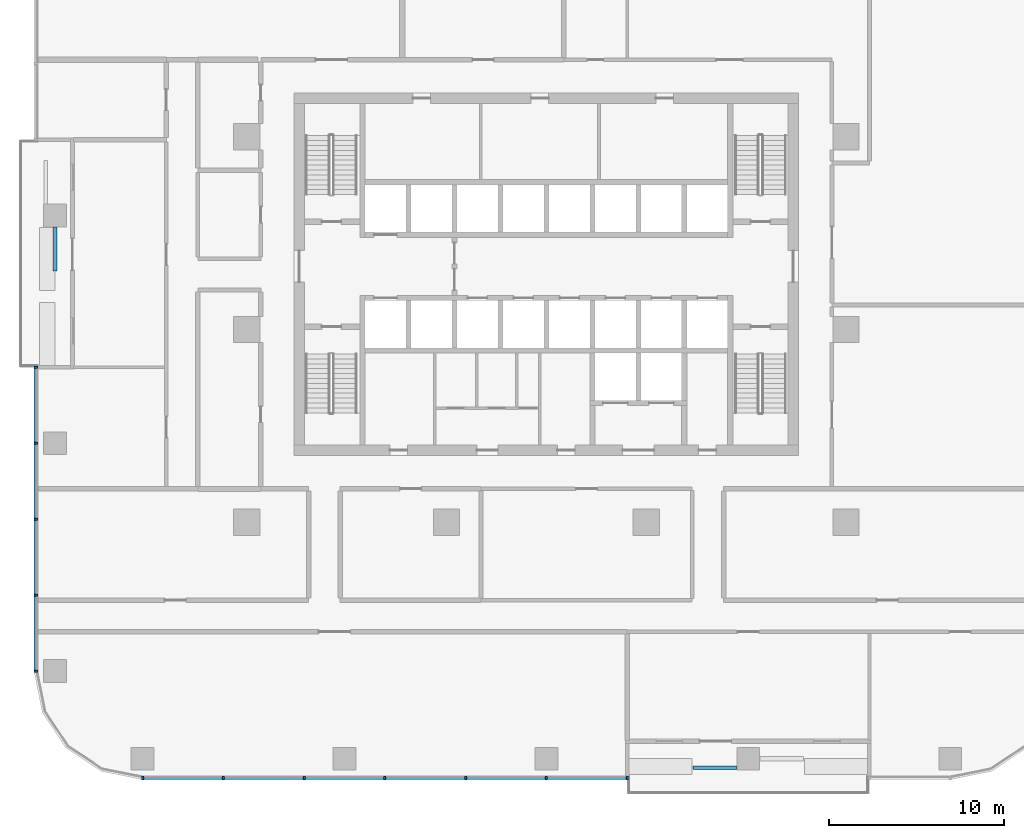
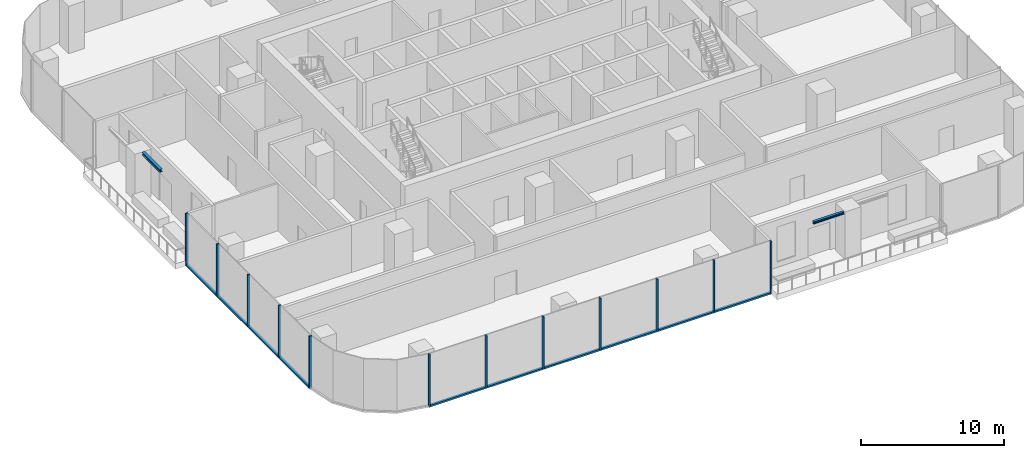
# One storey, part 2 of 15: 22 members, 2 beams, 2 elements without a shape of their own.
"""IFC4 building model written with IfcOpenShell, lengths in metres."""

import ifcopenshell
import ifcopenshell.guid

model = None  # the IFC model being written
_history = None  # IfcOwnerHistory: only IFC2X3 demands one
_inside = {}  # id of a spatial element -> (the spatial element, [elements in it])
_under = {}  # id of a project, library or spatial element -> (it, [spatial elements below it])
_declared = {}  # id of a project -> (the project, [libraries it declares])
_typed = {}  # id of a type object -> (the type object, [elements of that type])
_made_of = {}  # id of a material, layer set ... -> (it, [elements and type objects made of it])


def new_model(schema):
    """Start an empty IFC model of exactly this schema.

    Asked for "IFC4X3", IfcOpenShell would pick the latest addendum, in which some entities
    have other attributes; the version numbers below select the first issue.
    IFC2X3 requires an IfcOwnerHistory on every rooted entity: one is made here for all.
    """
    global model, _history
    if schema == "IFC4X3":
        model = ifcopenshell.file(schema_version=(4, 3, 0, 0))
    else:
        model = ifcopenshell.file(schema=schema)
    _inside.clear()
    _under.clear()
    _declared.clear()
    _typed.clear()
    _made_of.clear()
    _history = None
    if model.schema == "IFC2X3":
        org = make("IfcOrganization", Name="unknown")
        user = make(
            "IfcPersonAndOrganization",
            ThePerson=make("IfcPerson", FamilyName="unknown"),
            TheOrganization=org,
        )
        app = make(
            "IfcApplication",
            ApplicationDeveloper=org,
            Version="unknown",
            ApplicationFullName="unknown",
            ApplicationIdentifier="unknown",
        )
        _history = make(
            "IfcOwnerHistory",
            OwningUser=user,
            OwningApplication=app,
            ChangeAction="ADDED",
            CreationDate=0,
        )
    return model


def make(cls, **values):
    """One entity of the class cls with the attributes given. An attribute that is None is left unset."""
    return model.create_entity(
        cls, **{name: value for name, value in values.items() if value is not None}
    )


def rooted(cls, **values):
    """An entity with a GlobalId (a new one), such as an element, a storey or a relation."""
    return make(cls, GlobalId=ifcopenshell.guid.new(), OwnerHistory=_history, **values)


def si_unit(unit_type, name, prefix=None):
    """IfcSIUnit, for example si_unit("LENGTHUNIT", "METRE", prefix="MILLI")."""
    return make("IfcSIUnit", UnitType=unit_type, Prefix=prefix, Name=name)


def assignment(units):
    """IfcUnitAssignment: the units of a project."""
    return None if units is None else make("IfcUnitAssignment", Units=units)


def point(xyz):
    """IfcCartesianPoint."""
    return None if xyz is None else make("IfcCartesianPoint", Coordinates=xyz)


def direction(xyz):
    """IfcDirection."""
    return None if xyz is None else make("IfcDirection", DirectionRatios=xyz)


def frame(location, z_axis=None, x_axis=None):
    """IfcAxis2Placement3D, a coordinate frame: its origin and axes. An axis left out is left unset."""
    return make(
        "IfcAxis2Placement3D",
        Location=point(location),
        Axis=direction(z_axis),
        RefDirection=direction(x_axis),
    )


def frame_2d(location, x_axis=None):
    """IfcAxis2Placement2D, a coordinate frame in the plane: its origin and x axis."""
    return make(
        "IfcAxis2Placement2D", Location=point(location), RefDirection=direction(x_axis)
    )


def origin():
    """The frame at (0, 0, 0) with its axes left unset."""
    return frame((0.0, 0.0, 0.0))


def origin_2d():
    """The frame at (0, 0) in the plane with its x axis left unset."""
    return frame_2d((0.0, 0.0))


def place(relative_to, where):
    """IfcLocalPlacement: puts the frame where relative to a parent placement (None: the world)."""
    return make(
        "IfcLocalPlacement", PlacementRelTo=relative_to, RelativePlacement=where
    )


def context(
    kind, dimensions, precision=None, world=None, true_north=None, identifier=None
):
    """IfcGeometricRepresentationContext, for example the 3D "Model" context."""
    return make(
        "IfcGeometricRepresentationContext",
        ContextIdentifier=identifier,
        ContextType=kind,
        CoordinateSpaceDimension=dimensions,
        Precision=precision,
        WorldCoordinateSystem=world,
        TrueNorth=true_north,
    )


def subcontext(parent, identifier, kind, view, scale=None):
    """IfcGeometricRepresentationSubContext, for example "Body" below "Model"."""
    return make(
        "IfcGeometricRepresentationSubContext",
        ContextIdentifier=identifier,
        ContextType=kind,
        ParentContext=parent,
        TargetScale=scale,
        TargetView=view,
    )


def project(units=None, contexts=None):
    """IfcProject with its units and contexts."""
    return rooted(
        "IfcProject",
        Name="project",
        RepresentationContexts=contexts,
        UnitsInContext=assignment(units),
    )


def spatial(cls, under=None, at=None, **own):
    """A site, building, storey or space (cls), placed at a placement, below another one or the project."""
    s = rooted(cls, ObjectPlacement=at, **own)
    if under is not None:
        _under.setdefault(under.id(), (under, []))[1].append(s)
    return s


def profile(cls, at=None, kind="AREA", **sizes):
    """A parametric profile (cls). Its sizes go by their IFC names, for example OverallWidth=200.0."""
    return make(cls, ProfileType=kind, Position=at, **sizes)


def rectangle(**sizes):
    """IfcRectangleProfileDef."""
    return profile("IfcRectangleProfileDef", **sizes)


def i_section(**sizes):
    """IfcIShapeProfileDef."""
    return profile("IfcIShapeProfileDef", **sizes)


def extrude(swept, where, along, depth):
    """IfcExtrudedAreaSolid: the profile swept, set in the frame where, extruded along a direction by depth."""
    return make(
        "IfcExtrudedAreaSolid",
        SweptArea=swept,
        Position=where,
        ExtrudedDirection=direction(along),
        Depth=depth,
    )


def shape(context_of_items, identifier, shape_type, items):
    """IfcShapeRepresentation: the items that make up one representation, for example the "Body"."""
    return make(
        "IfcShapeRepresentation",
        ContextOfItems=context_of_items,
        RepresentationIdentifier=identifier,
        RepresentationType=shape_type,
        Items=items,
    )


def material(Name=None, Category=None):
    """IfcMaterial."""
    return make("IfcMaterial", Name=Name, Category=Category)


def material_profile(
    of_material, cross_section, Name=None, Category=None, Priority=None
):
    """IfcMaterialProfile: a cross section and its material."""
    return make(
        "IfcMaterialProfile",
        Name=Name,
        Material=of_material,
        Profile=cross_section,
        Priority=Priority,
        Category=Category,
    )


def profile_set(profiles, Name=None, composite=None):
    """IfcMaterialProfileSet."""
    return make(
        "IfcMaterialProfileSet",
        Name=Name,
        MaterialProfiles=profiles,
        CompositeProfile=composite,
    )


def made_of(thing, what):
    """Note that an element or type object is made of a material, layer set ...; save() writes the relation."""
    if what is not None:
        _made_of.setdefault(what.id(), (what, []))[1].append(thing)
    return thing


def type_object(cls, material=None, **own):
    """A type object (cls), such as IfcWallType, which elements share."""
    return made_of(rooted(cls, **own), material)


def element(
    cls,
    number,
    at=None,
    inside=None,
    cuts=None,
    type_object=None,
    material=None,
    context=None,
    identifier="Body",
    shape_type=None,
    held_by="IfcProductDefinitionShape",
    body=None,
    shapes=None,
    **own,
):
    """One element of the class cls, such as IfcWall. Its Tag is "e" and its number.

    at: its placement. inside: the storey or other place that contains it. cuts: it is an
    opening in that element (IfcRelVoidsElement). A single representation is given by context,
    identifier, shape_type and body (its items); several are given by shapes. held_by: the class
    of the entity that holds the representations. save() writes the other relations.
    """
    e = rooted(cls, Tag="e%d" % number, ObjectPlacement=at, **own)
    if body is not None:
        shapes = [shape(context, identifier, shape_type, body)]
    if shapes is not None:
        e.Representation = make(held_by, Representations=shapes)
    if inside is not None:
        _inside.setdefault(inside.id(), (inside, []))[1].append(e)
    if cuts is not None:
        rooted(
            "IfcRelVoidsElement", RelatingBuildingElement=cuts, RelatedOpeningElement=e
        )
    if type_object is not None:
        _typed.setdefault(type_object.id(), (type_object, []))[1].append(e)
    return made_of(e, material)


def aggregate(whole, parts):
    """IfcRelAggregates: a whole, such as a stair, and the parts it consists of."""
    return rooted("IfcRelAggregates", RelatingObject=whole, RelatedObjects=parts)


def save(model, path):
    """Write the relations noted so far, then the file.

    IfcRelAggregates (storeys below a building ...), IfcRelContainedInSpatialStructure (elements
    in a storey), IfcRelDefinesByType, IfcRelAssociatesMaterial and IfcRelDeclares: one each for
    every whole, place, type object, material and project.
    """
    for whole, parts in _under.values():
        aggregate(whole, parts)
    for where, things in _inside.values():
        rooted(
            "IfcRelContainedInSpatialStructure",
            RelatedElements=things,
            RelatingStructure=where,
        )
    for kind, things in _typed.values():
        rooted("IfcRelDefinesByType", RelatedObjects=things, RelatingType=kind)
    for what, things in _made_of.values():
        rooted("IfcRelAssociatesMaterial", RelatedObjects=things, RelatingMaterial=what)
    for by, libraries in _declared.values():
        rooted("IfcRelDeclares", RelatingContext=by, RelatedDefinitions=libraries)
    model.write(path)


model = new_model("IFC4")

# Units and contexts
model_context = context("Model", 3, precision=1e-05, world=origin(), true_north=direction((0.0, 1.0)))
body_context = subcontext(model_context, "Body", "Model", "MODEL_VIEW")
ifc_project = project(units=[si_unit("LENGTHUNIT", "METRE"), si_unit("AREAUNIT", "SQUARE_METRE"), si_unit("VOLUMEUNIT", "CUBIC_METRE"), si_unit("PLANEANGLEUNIT", "RADIAN"), si_unit("MASSUNIT", "GRAM", prefix="KILO")], contexts=[model_context])

# Site, building, storey
site_placement = place(None, origin())
site = spatial("IfcSite", under=ifc_project, at=site_placement, CompositionType="ELEMENT")
building_placement = place(site_placement, origin())
building = spatial("IfcBuilding", under=site, at=building_placement, Name="Mopane Tessera Tower", CompositionType="ELEMENT")
storey_placement = place(building_placement, frame((0.0, 0.0, 103.60009765625)))
storey = spatial("IfcBuildingStorey", under=building, at=storey_placement, Name="L20", CompositionType="ELEMENT", Elevation=103.60009765625)

# Curtain wall, members
ifc_material_1 = material(Name="Aluminium frame", Category="aluminium")
curtain_wall_type = type_object("IfcCurtainWallType", Name="Lower tower unitised wall", PredefinedType="NOTDEFINED", material=ifc_material_1)
curtain_wall_1_placement = place(storey_placement, origin())
curtain_wall_1 = element("IfcCurtainWall", 1, at=curtain_wall_1_placement, inside=storey, type_object=curtain_wall_type, Name="e:cw:L20:S:0", PredefinedType="NOTDEFINED")
ifc_material_2 = material(Name="Aluminium frame", Category="aluminium")
ifc_material_profile_1 = material_profile(ifc_material_2, rectangle(XDim=0.110107421875, YDim=0.199951171875, at=origin_2d()))
ifc_profile_set_1 = profile_set([ifc_material_profile_1], Name="Aluminium frame")
member_type_1 = type_object("IfcMemberType", Name="Aluminium mullion 110 x 200", PredefinedType="MULLION", material=ifc_profile_set_1)
member_1_placement = place(storey_placement, frame((-23.050048828125, -25.60009765625, -0.4501953125), z_axis=(0.0, 0.0, 1.0), x_axis=(1.0, 0.0, 0.0)))
member_1 = element("IfcMember", 2, at=member_1_placement, type_object=member_type_1, Name="e:cw:L20:S:0:mu0", PredefinedType="MULLION", context=body_context, shape_type="SweptSolid", body=[
    extrude(rectangle(XDim=0.110107421875, YDim=0.199951171875, at=origin_2d()), origin(), (0.0, 0.0, 1.0), 4.5),
])
member_2_placement = place(storey_placement, frame((-18.43994140625, -25.60009765625, -0.4501953125), z_axis=(0.0, 0.0, 1.0), x_axis=(1.0, 0.0, 0.0)))
member_2 = element("IfcMember", 3, at=member_2_placement, type_object=member_type_1, Name="e:cw:L20:S:0:mu1", PredefinedType="MULLION", context=body_context, shape_type="SweptSolid", body=[
    extrude(rectangle(XDim=0.110107421875, YDim=0.199951171875, at=origin_2d()), origin(), (0.0, 0.0, 1.0), 4.5),
])
member_3_placement = place(storey_placement, frame((-13.830078125, -25.60009765625, -0.4501953125), z_axis=(0.0, 0.0, 1.0), x_axis=(1.0, 0.0, 0.0)))
member_3 = element("IfcMember", 4, at=member_3_placement, type_object=member_type_1, Name="e:cw:L20:S:0:mu2", PredefinedType="MULLION", context=body_context, shape_type="SweptSolid", body=[
    extrude(rectangle(XDim=0.110107421875, YDim=0.199951171875, at=origin_2d()), origin(), (0.0, 0.0, 1.0), 4.5),
])
member_4_placement = place(storey_placement, frame((-9.219970703125, -25.60009765625, -0.4501953125), z_axis=(0.0, 0.0, 1.0), x_axis=(1.0, 0.0, 0.0)))
member_4 = element("IfcMember", 5, at=member_4_placement, type_object=member_type_1, Name="e:cw:L20:S:0:mu3", PredefinedType="MULLION", context=body_context, shape_type="SweptSolid", body=[
    extrude(rectangle(XDim=0.110107421875, YDim=0.199951171875, at=origin_2d()), origin(), (0.0, 0.0, 1.0), 4.5),
])
member_5_placement = place(storey_placement, frame((-4.610107421875, -25.60009765625, -0.4501953125), z_axis=(0.0, 0.0, 1.0), x_axis=(1.0, 0.0, 0.0)))
member_5 = element("IfcMember", 6, at=member_5_placement, type_object=member_type_1, Name="e:cw:L20:S:0:mu4", PredefinedType="MULLION", context=body_context, shape_type="SweptSolid", body=[
    extrude(rectangle(XDim=0.110107421875, YDim=0.199951171875, at=origin_2d()), origin(), (0.0, 0.0, 1.0), 4.5),
])
member_6_placement = place(storey_placement, frame((0.0, -25.60009765625, -0.4501953125), z_axis=(0.0, 0.0, 1.0), x_axis=(1.0, 0.0, 0.0)))
member_6 = element("IfcMember", 7, at=member_6_placement, type_object=member_type_1, Name="e:cw:L20:S:0:mu5", PredefinedType="MULLION", context=body_context, shape_type="SweptSolid", body=[
    extrude(rectangle(XDim=0.110107421875, YDim=0.199951171875, at=origin_2d()), origin(), (0.0, 0.0, 1.0), 4.5),
])
member_7_placement = place(storey_placement, frame((4.610107421875, -25.60009765625, -0.4501953125), z_axis=(0.0, 0.0, 1.0), x_axis=(1.0, 0.0, 0.0)))
member_7 = element("IfcMember", 8, at=member_7_placement, type_object=member_type_1, Name="e:cw:L20:S:0:mu6", PredefinedType="MULLION", context=body_context, shape_type="SweptSolid", body=[
    extrude(rectangle(XDim=0.110107421875, YDim=0.199951171875, at=origin_2d()), origin(), (0.0, 0.0, 1.0), 4.5),
])

curtain_wall_2_placement = place(storey_placement, origin())
curtain_wall_2 = element("IfcCurtainWall", 9, at=curtain_wall_2_placement, inside=storey, type_object=curtain_wall_type, Name="e:cw:L20:W:5", PredefinedType="NOTDEFINED")
member_8_placement = place(storey_placement, frame((-29.14990234375, -2.166748046875, -0.4501953125), z_axis=(0.0, 0.0, 1.0), x_axis=(0.0, -1.0, 0.0)))
member_8 = element("IfcMember", 10, at=member_8_placement, type_object=member_type_1, Name="e:cw:L20:W:5:mu5", PredefinedType="MULLION", context=body_context, shape_type="SweptSolid", body=[
    extrude(rectangle(XDim=0.110107421875, YDim=0.199951171875, at=origin_2d()), origin(), (0.0, 0.0, 1.0), 4.5),
])
member_9_placement = place(storey_placement, frame((-29.14990234375, -6.5, -0.4501953125), z_axis=(0.0, 0.0, 1.0), x_axis=(0.0, -1.0, 0.0)))
member_9 = element("IfcMember", 11, at=member_9_placement, type_object=member_type_1, Name="e:cw:L20:W:5:mu6", PredefinedType="MULLION", context=body_context, shape_type="SweptSolid", body=[
    extrude(rectangle(XDim=0.110107421875, YDim=0.199951171875, at=origin_2d()), origin(), (0.0, 0.0, 1.0), 4.5),
])
member_10_placement = place(storey_placement, frame((-29.14990234375, -10.833251953125, -0.4501953125), z_axis=(0.0, 0.0, 1.0), x_axis=(0.0, -1.0, 0.0)))
member_10 = element("IfcMember", 12, at=member_10_placement, type_object=member_type_1, Name="e:cw:L20:W:5:mu7", PredefinedType="MULLION", context=body_context, shape_type="SweptSolid", body=[
    extrude(rectangle(XDim=0.110107421875, YDim=0.199951171875, at=origin_2d()), origin(), (0.0, 0.0, 1.0), 4.5),
])
member_11_placement = place(storey_placement, frame((-29.14990234375, -15.166748046875, -0.4501953125), z_axis=(0.0, 0.0, 1.0), x_axis=(0.0, -1.0, 0.0)))
member_11 = element("IfcMember", 13, at=member_11_placement, type_object=member_type_1, Name="e:cw:L20:W:5:mu8", PredefinedType="MULLION", context=body_context, shape_type="SweptSolid", body=[
    extrude(rectangle(XDim=0.110107421875, YDim=0.199951171875, at=origin_2d()), origin(), (0.0, 0.0, 1.0), 4.5),
])
member_12_placement = place(storey_placement, frame((-29.14990234375, -19.5, -0.4501953125), z_axis=(0.0, 0.0, 1.0), x_axis=(0.0, -1.0, 0.0)))
member_12 = element("IfcMember", 14, at=member_12_placement, type_object=member_type_1, Name="e:cw:L20:W:5:mu9", PredefinedType="MULLION", context=body_context, shape_type="SweptSolid", body=[
    extrude(rectangle(XDim=0.110107421875, YDim=0.199951171875, at=origin_2d()), origin(), (0.0, 0.0, 1.0), 4.5),
])

# Member
ifc_material_3 = material(Name="Aluminium frame", Category="aluminium")
ifc_material_profile_2 = material_profile(ifc_material_3, rectangle(XDim=0.199951171875, YDim=0.139892578125, at=origin_2d()))
ifc_profile_set_2 = profile_set([ifc_material_profile_2], Name="Aluminium frame")
member_type_2 = type_object("IfcMemberType", Name="Aluminium transom 200 x 140", PredefinedType="USERDEFINED", material=ifc_profile_set_2)
member_13_placement = place(storey_placement, frame((-22.9951171875, -25.60009765625, -0.380126953125), z_axis=(1.0, 0.0, 0.0), x_axis=(0.0, 1.0, 0.0)))
member_13 = element("IfcMember", 15, at=member_13_placement, type_object=member_type_2, Name="e:cw:L20:S:0:tr0", ObjectType="TRANSOM", PredefinedType="USERDEFINED", context=body_context, shape_type="SweptSolid", body=[
    extrude(rectangle(XDim=0.199951171875, YDim=0.139892578125, at=origin_2d()), origin(), (0.0, 0.0, 1.0), 4.5),
])

member_14_placement = place(storey_placement, frame((-18.385009765625, -25.60009765625, -0.380126953125), z_axis=(1.0, 0.0, 0.0), x_axis=(0.0, 1.0, 0.0)))
member_14 = element("IfcMember", 16, at=member_14_placement, type_object=member_type_2, Name="e:cw:L20:S:0:tr1", ObjectType="TRANSOM", PredefinedType="USERDEFINED", context=body_context, shape_type="SweptSolid", body=[
    extrude(rectangle(XDim=0.199951171875, YDim=0.139892578125, at=origin_2d()), origin(), (0.0, 0.0, 1.0), 4.5),
])

member_15_placement = place(storey_placement, frame((-13.77490234375, -25.60009765625, -0.380126953125), z_axis=(1.0, 0.0, 0.0), x_axis=(0.0, 1.0, 0.0)))
member_15 = element("IfcMember", 17, at=member_15_placement, type_object=member_type_2, Name="e:cw:L20:S:0:tr2", ObjectType="TRANSOM", PredefinedType="USERDEFINED", context=body_context, shape_type="SweptSolid", body=[
    extrude(rectangle(XDim=0.199951171875, YDim=0.139892578125, at=origin_2d()), origin(), (0.0, 0.0, 1.0), 4.5),
])

member_16_placement = place(storey_placement, frame((-9.1650390625, -25.60009765625, -0.380126953125), z_axis=(1.0, 0.0, 0.0), x_axis=(0.0, 1.0, 0.0)))
member_16 = element("IfcMember", 18, at=member_16_placement, type_object=member_type_2, Name="e:cw:L20:S:0:tr3", ObjectType="TRANSOM", PredefinedType="USERDEFINED", context=body_context, shape_type="SweptSolid", body=[
    extrude(rectangle(XDim=0.199951171875, YDim=0.139892578125, at=origin_2d()), origin(), (0.0, 0.0, 1.0), 4.5),
])

member_17_placement = place(storey_placement, frame((-4.554931640625, -25.60009765625, -0.380126953125), z_axis=(1.0, 0.0, 0.0), x_axis=(0.0, 1.0, 0.0)))
member_17 = element("IfcMember", 19, at=member_17_placement, type_object=member_type_2, Name="e:cw:L20:S:0:tr4", ObjectType="TRANSOM", PredefinedType="USERDEFINED", context=body_context, shape_type="SweptSolid", body=[
    extrude(rectangle(XDim=0.199951171875, YDim=0.139892578125, at=origin_2d()), origin(), (0.0, 0.0, 1.0), 4.5),
])

member_18_placement = place(storey_placement, frame((0.054931640625, -25.60009765625, -0.380126953125), z_axis=(1.0, 0.0, 0.0), x_axis=(0.0, 1.0, 0.0)))
member_18 = element("IfcMember", 20, at=member_18_placement, type_object=member_type_2, Name="e:cw:L20:S:0:tr5", ObjectType="TRANSOM", PredefinedType="USERDEFINED", context=body_context, shape_type="SweptSolid", body=[
    extrude(rectangle(XDim=0.199951171875, YDim=0.139892578125, at=origin_2d()), origin(), (0.0, 0.0, 1.0), 4.5),
])

aggregate(curtain_wall_1, [member_1, member_2, member_3, member_4, member_5, member_6, member_7, member_13, member_14, member_15, member_16, member_17, member_18])

member_19_placement = place(storey_placement, frame((-29.14990234375, -2.2216796875, -0.380126953125), z_axis=(0.0, -1.0, 0.0), x_axis=(1.0, 0.0, 0.0)))
member_19 = element("IfcMember", 21, at=member_19_placement, type_object=member_type_2, Name="e:cw:L20:W:5:tr5", ObjectType="TRANSOM", PredefinedType="USERDEFINED", context=body_context, shape_type="SweptSolid", body=[
    extrude(rectangle(XDim=0.199951171875, YDim=0.139892578125, at=origin_2d()), origin(), (0.0, 0.0, 1.0), 4.223388671875),
])

member_20_placement = place(storey_placement, frame((-29.14990234375, -6.554931640625, -0.380126953125), z_axis=(0.0, -1.0, 0.0), x_axis=(1.0, 0.0, 0.0)))
member_20 = element("IfcMember", 22, at=member_20_placement, type_object=member_type_2, Name="e:cw:L20:W:5:tr6", ObjectType="TRANSOM", PredefinedType="USERDEFINED", context=body_context, shape_type="SweptSolid", body=[
    extrude(rectangle(XDim=0.199951171875, YDim=0.139892578125, at=origin_2d()), origin(), (0.0, 0.0, 1.0), 4.223388671875),
])

member_21_placement = place(storey_placement, frame((-29.14990234375, -10.888427734375, -0.380126953125), z_axis=(0.0, -1.0, 0.0), x_axis=(1.0, 0.0, 0.0)))
member_21 = element("IfcMember", 23, at=member_21_placement, type_object=member_type_2, Name="e:cw:L20:W:5:tr7", ObjectType="TRANSOM", PredefinedType="USERDEFINED", context=body_context, shape_type="SweptSolid", body=[
    extrude(rectangle(XDim=0.199951171875, YDim=0.139892578125, at=origin_2d()), origin(), (0.0, 0.0, 1.0), 4.22314453125),
])

member_22_placement = place(storey_placement, frame((-29.14990234375, -15.2216796875, -0.380126953125), z_axis=(0.0, -1.0, 0.0), x_axis=(1.0, 0.0, 0.0)))
member_22 = element("IfcMember", 24, at=member_22_placement, type_object=member_type_2, Name="e:cw:L20:W:5:tr8", ObjectType="TRANSOM", PredefinedType="USERDEFINED", context=body_context, shape_type="SweptSolid", body=[
    extrude(rectangle(XDim=0.199951171875, YDim=0.139892578125, at=origin_2d()), origin(), (0.0, 0.0, 1.0), 4.223388671875),
])

aggregate(curtain_wall_2, [member_8, member_9, member_10, member_11, member_12, member_19, member_20, member_21, member_22])

# Beams
ifc_material_4 = material(Name="Structural steel S460", Category="steel")
ifc_material_profile_3 = material_profile(ifc_material_4, i_section(OverallWidth=0.239990234375, OverallDepth=0.239990234375, WebThickness=0.010009765625, FlangeThickness=0.01708984375, FilletRadius=0.02099609375, at=origin_2d()))
ifc_profile_set_3 = profile_set([ifc_material_profile_3], Name="Structural steel S460")
beam_type_1 = type_object("IfcBeamType", Name="Terrace spandrel beam HE 240 B", PredefinedType="SPANDREL", material=ifc_profile_set_3)
beam_1_placement = place(storey_placement, frame((-28.050048828125, 5.846923828125, 3.929931640625), z_axis=(0.0, -1.0, 0.0), x_axis=(1.0, 0.0, 0.0)))
element("IfcBeam", 25, at=beam_1_placement, inside=storey, type_object=beam_type_1, Name="Terrace spandrel beam N2 L21", PredefinedType="SPANDREL", context=body_context, shape_type="SweptSolid", body=[
    extrude(i_section(OverallWidth=0.239990234375, OverallDepth=0.239990234375, WebThickness=0.010009765625, FlangeThickness=0.01708984375, FilletRadius=0.02099609375, at=origin_2d()), origin(), (0.0, 0.0, 1.0), 2.5),
])
ifc_material_5 = material(Name="Structural steel S460", Category="steel")
ifc_material_profile_4 = material_profile(ifc_material_5, i_section(OverallWidth=0.199951171875, OverallDepth=0.199951171875, WebThickness=0.009033203125, FlangeThickness=0.014892578125, FilletRadius=0.01806640625, at=origin_2d()))
ifc_profile_set_4 = profile_set([ifc_material_profile_4], Name="Structural steel S460")
beam_type_2 = type_object("IfcBeamType", Name="Terrace trimmer beam HE 200 B", PredefinedType="BEAM", material=ifc_profile_set_4)
beam_2_placement = place(storey_placement, frame((10.871826171875, -25.02001953125, 3.949951171875), z_axis=(-1.0, 0.0, 0.0), x_axis=(0.0, -1.0, 0.0)))
element("IfcBeam", 26, at=beam_2_placement, inside=storey, type_object=beam_type_2, Name="Terrace trimmer beam N3 L21", PredefinedType="BEAM", context=body_context, shape_type="SweptSolid", body=[
    extrude(i_section(OverallWidth=0.199951171875, OverallDepth=0.199951171875, WebThickness=0.009033203125, FlangeThickness=0.014892578125, FilletRadius=0.01806640625, at=origin_2d()), origin(), (0.0, 0.0, 1.0), 2.5),
])

save(model, "model.ifc")
